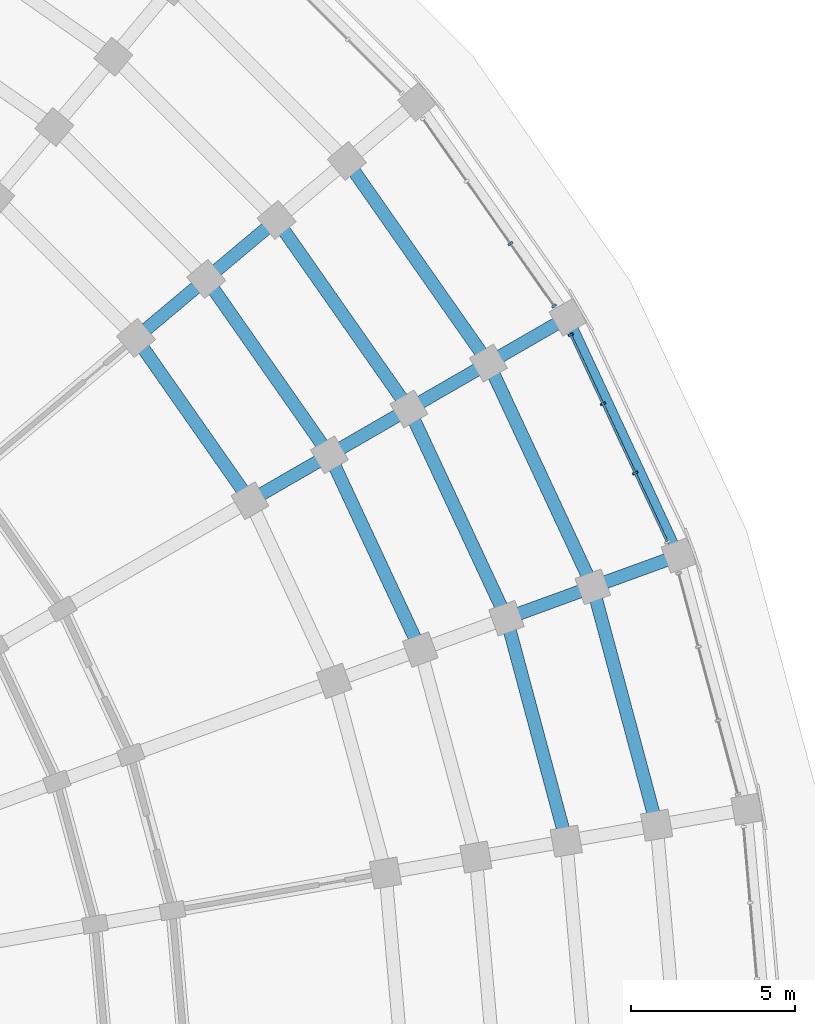
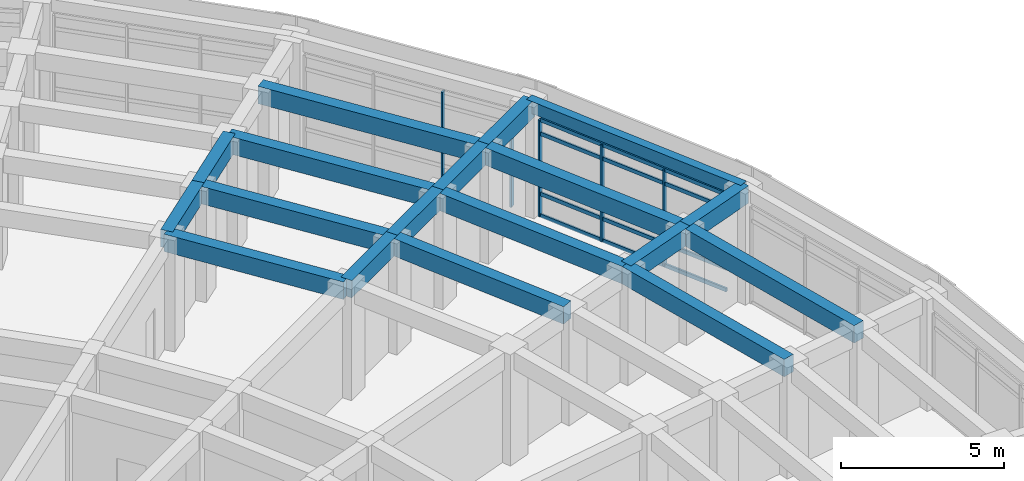
# One storey, part 51 of 135: 18 beams, 9 members, 2 elements without a shape of their own.
"""IFC4 building model written with IfcOpenShell, lengths in metres."""

import ifcopenshell
import ifcopenshell.guid

model = None  # the IFC model being written
_history = None  # IfcOwnerHistory: only IFC2X3 demands one
_inside = {}  # id of a spatial element -> (the spatial element, [elements in it])
_under = {}  # id of a project, library or spatial element -> (it, [spatial elements below it])
_declared = {}  # id of a project -> (the project, [libraries it declares])
_typed = {}  # id of a type object -> (the type object, [elements of that type])
_made_of = {}  # id of a material, layer set ... -> (it, [elements and type objects made of it])


def new_model(schema):
    """Start an empty IFC model of exactly this schema.

    Asked for "IFC4X3", IfcOpenShell would pick the latest addendum, in which some entities
    have other attributes; the version numbers below select the first issue.
    IFC2X3 requires an IfcOwnerHistory on every rooted entity: one is made here for all.
    """
    global model, _history
    if schema == "IFC4X3":
        model = ifcopenshell.file(schema_version=(4, 3, 0, 0))
    else:
        model = ifcopenshell.file(schema=schema)
    _inside.clear()
    _under.clear()
    _declared.clear()
    _typed.clear()
    _made_of.clear()
    _history = None
    if model.schema == "IFC2X3":
        org = make("IfcOrganization", Name="unknown")
        user = make(
            "IfcPersonAndOrganization",
            ThePerson=make("IfcPerson", FamilyName="unknown"),
            TheOrganization=org,
        )
        app = make(
            "IfcApplication",
            ApplicationDeveloper=org,
            Version="unknown",
            ApplicationFullName="unknown",
            ApplicationIdentifier="unknown",
        )
        _history = make(
            "IfcOwnerHistory",
            OwningUser=user,
            OwningApplication=app,
            ChangeAction="ADDED",
            CreationDate=0,
        )
    return model


def make(cls, **values):
    """One entity of the class cls with the attributes given. An attribute that is None is left unset."""
    return model.create_entity(
        cls, **{name: value for name, value in values.items() if value is not None}
    )


def rooted(cls, **values):
    """An entity with a GlobalId (a new one), such as an element, a storey or a relation."""
    return make(cls, GlobalId=ifcopenshell.guid.new(), OwnerHistory=_history, **values)


def si_unit(unit_type, name, prefix=None):
    """IfcSIUnit, for example si_unit("LENGTHUNIT", "METRE", prefix="MILLI")."""
    return make("IfcSIUnit", UnitType=unit_type, Prefix=prefix, Name=name)


def assignment(units):
    """IfcUnitAssignment: the units of a project."""
    return None if units is None else make("IfcUnitAssignment", Units=units)


def point(xyz):
    """IfcCartesianPoint."""
    return None if xyz is None else make("IfcCartesianPoint", Coordinates=xyz)


def direction(xyz):
    """IfcDirection."""
    return None if xyz is None else make("IfcDirection", DirectionRatios=xyz)


def frame(location, z_axis=None, x_axis=None):
    """IfcAxis2Placement3D, a coordinate frame: its origin and axes. An axis left out is left unset."""
    return make(
        "IfcAxis2Placement3D",
        Location=point(location),
        Axis=direction(z_axis),
        RefDirection=direction(x_axis),
    )


def frame_2d(location, x_axis=None):
    """IfcAxis2Placement2D, a coordinate frame in the plane: its origin and x axis."""
    return make(
        "IfcAxis2Placement2D", Location=point(location), RefDirection=direction(x_axis)
    )


def origin():
    """The frame at (0, 0, 0) with its axes left unset."""
    return frame((0.0, 0.0, 0.0))


def origin_2d():
    """The frame at (0, 0) in the plane with its x axis left unset."""
    return frame_2d((0.0, 0.0))


def place(relative_to, where):
    """IfcLocalPlacement: puts the frame where relative to a parent placement (None: the world)."""
    return make(
        "IfcLocalPlacement", PlacementRelTo=relative_to, RelativePlacement=where
    )


def context(
    kind, dimensions, precision=None, world=None, true_north=None, identifier=None
):
    """IfcGeometricRepresentationContext, for example the 3D "Model" context."""
    return make(
        "IfcGeometricRepresentationContext",
        ContextIdentifier=identifier,
        ContextType=kind,
        CoordinateSpaceDimension=dimensions,
        Precision=precision,
        WorldCoordinateSystem=world,
        TrueNorth=true_north,
    )


def subcontext(parent, identifier, kind, view, scale=None):
    """IfcGeometricRepresentationSubContext, for example "Body" below "Model"."""
    return make(
        "IfcGeometricRepresentationSubContext",
        ContextIdentifier=identifier,
        ContextType=kind,
        ParentContext=parent,
        TargetScale=scale,
        TargetView=view,
    )


def project(units=None, contexts=None):
    """IfcProject with its units and contexts."""
    return rooted(
        "IfcProject",
        Name="project",
        RepresentationContexts=contexts,
        UnitsInContext=assignment(units),
    )


def spatial(cls, under=None, at=None, **own):
    """A site, building, storey or space (cls), placed at a placement, below another one or the project."""
    s = rooted(cls, ObjectPlacement=at, **own)
    if under is not None:
        _under.setdefault(under.id(), (under, []))[1].append(s)
    return s


def profile(cls, at=None, kind="AREA", **sizes):
    """A parametric profile (cls). Its sizes go by their IFC names, for example OverallWidth=200.0."""
    return make(cls, ProfileType=kind, Position=at, **sizes)


def rectangle(**sizes):
    """IfcRectangleProfileDef."""
    return profile("IfcRectangleProfileDef", **sizes)


def extrude(swept, where, along, depth):
    """IfcExtrudedAreaSolid: the profile swept, set in the frame where, extruded along a direction by depth."""
    return make(
        "IfcExtrudedAreaSolid",
        SweptArea=swept,
        Position=where,
        ExtrudedDirection=direction(along),
        Depth=depth,
    )


def shape(context_of_items, identifier, shape_type, items):
    """IfcShapeRepresentation: the items that make up one representation, for example the "Body"."""
    return make(
        "IfcShapeRepresentation",
        ContextOfItems=context_of_items,
        RepresentationIdentifier=identifier,
        RepresentationType=shape_type,
        Items=items,
    )


def material(Name=None, Category=None):
    """IfcMaterial."""
    return make("IfcMaterial", Name=Name, Category=Category)


def material_profile(
    of_material, cross_section, Name=None, Category=None, Priority=None
):
    """IfcMaterialProfile: a cross section and its material."""
    return make(
        "IfcMaterialProfile",
        Name=Name,
        Material=of_material,
        Profile=cross_section,
        Priority=Priority,
        Category=Category,
    )


def profile_set(profiles, Name=None, composite=None):
    """IfcMaterialProfileSet."""
    return make(
        "IfcMaterialProfileSet",
        Name=Name,
        MaterialProfiles=profiles,
        CompositeProfile=composite,
    )


def made_of(thing, what):
    """Note that an element or type object is made of a material, layer set ...; save() writes the relation."""
    if what is not None:
        _made_of.setdefault(what.id(), (what, []))[1].append(thing)
    return thing


def type_object(cls, material=None, **own):
    """A type object (cls), such as IfcWallType, which elements share."""
    return made_of(rooted(cls, **own), material)


def element(
    cls,
    number,
    at=None,
    inside=None,
    cuts=None,
    type_object=None,
    material=None,
    context=None,
    identifier="Body",
    shape_type=None,
    held_by="IfcProductDefinitionShape",
    body=None,
    shapes=None,
    **own,
):
    """One element of the class cls, such as IfcWall. Its Tag is "e" and its number.

    at: its placement. inside: the storey or other place that contains it. cuts: it is an
    opening in that element (IfcRelVoidsElement). A single representation is given by context,
    identifier, shape_type and body (its items); several are given by shapes. held_by: the class
    of the entity that holds the representations. save() writes the other relations.
    """
    e = rooted(cls, Tag="e%d" % number, ObjectPlacement=at, **own)
    if body is not None:
        shapes = [shape(context, identifier, shape_type, body)]
    if shapes is not None:
        e.Representation = make(held_by, Representations=shapes)
    if inside is not None:
        _inside.setdefault(inside.id(), (inside, []))[1].append(e)
    if cuts is not None:
        rooted(
            "IfcRelVoidsElement", RelatingBuildingElement=cuts, RelatedOpeningElement=e
        )
    if type_object is not None:
        _typed.setdefault(type_object.id(), (type_object, []))[1].append(e)
    return made_of(e, material)


def aggregate(whole, parts):
    """IfcRelAggregates: a whole, such as a stair, and the parts it consists of."""
    return rooted("IfcRelAggregates", RelatingObject=whole, RelatedObjects=parts)


def save(model, path):
    """Write the relations noted so far, then the file.

    IfcRelAggregates (storeys below a building ...), IfcRelContainedInSpatialStructure (elements
    in a storey), IfcRelDefinesByType, IfcRelAssociatesMaterial and IfcRelDeclares: one each for
    every whole, place, type object, material and project.
    """
    for whole, parts in _under.values():
        aggregate(whole, parts)
    for where, things in _inside.values():
        rooted(
            "IfcRelContainedInSpatialStructure",
            RelatedElements=things,
            RelatingStructure=where,
        )
    for kind, things in _typed.values():
        rooted("IfcRelDefinesByType", RelatedObjects=things, RelatingType=kind)
    for what, things in _made_of.values():
        rooted("IfcRelAssociatesMaterial", RelatedObjects=things, RelatingMaterial=what)
    for by, libraries in _declared.values():
        rooted("IfcRelDeclares", RelatingContext=by, RelatedDefinitions=libraries)
    model.write(path)


model = new_model("IFC4")

# Units and contexts
model_context = context("Model", 3, precision=1e-05, world=origin(), true_north=direction((0.0, 1.0)))
body_context = subcontext(model_context, "Body", "Model", "MODEL_VIEW")
ifc_project = project(units=[si_unit("LENGTHUNIT", "METRE"), si_unit("AREAUNIT", "SQUARE_METRE"), si_unit("VOLUMEUNIT", "CUBIC_METRE"), si_unit("PLANEANGLEUNIT", "RADIAN"), si_unit("MASSUNIT", "GRAM", prefix="KILO")], contexts=[model_context])

# Site, building, storey
site_placement = place(None, origin())
site = spatial("IfcSite", under=ifc_project, at=site_placement, CompositionType="ELEMENT")
building_placement = place(site_placement, origin())
building = spatial("IfcBuilding", under=site, at=building_placement, Name="Kiranvali Square Residences", CompositionType="ELEMENT")
storey_placement = place(building_placement, origin())
storey = spatial("IfcBuildingStorey", under=building, at=storey_placement, Name="L00", CompositionType="ELEMENT", Elevation=0.0)

# Beams
ifc_material_1 = material(Name="Concrete M45 (45 MPa)", Category="concrete")
ifc_material_profile_1 = material_profile(ifc_material_1, rectangle(XDim=0.39990234375, YDim=0.64990234375, at=origin_2d()), Name="RC 400x650")
ifc_profile_set_1 = profile_set([ifc_material_profile_1], Name="Concrete M45 (45 MPa)")
beam_type_1 = type_object("IfcBeamType", Name="BM-M45-400x650", PredefinedType="BEAM", material=ifc_profile_set_1)
beam_1_placement = place(storey_placement, frame((146.458251953125, 110.1689453125, 3.824951171875), z_axis=(0.573594691504, -0.81913926159, 0.0), x_axis=(0.81913926159, 0.573594691504, 0.0)))
element("IfcBeam", 1, at=beam_1_placement, inside=storey, type_object=beam_type_1, Name="L00 beam BM-B-L00-C05-R3", PredefinedType="BEAM", context=body_context, shape_type="SweptSolid", body=[
    extrude(rectangle(XDim=0.39990234375, YDim=0.64990234375, at=origin_2d()), origin(), (0.0, 0.0, 1.0), 6.066162109375),
])
beam_2_placement = place(storey_placement, frame((148.603271484375, 111.96875, 3.824951171875), z_axis=(0.573587340268, -0.819144409176, 0.0), x_axis=(0.819144409176, 0.573587340268, 0.0)))
element("IfcBeam", 2, at=beam_2_placement, inside=storey, type_object=beam_type_1, Name="L00 beam BM-B-L00-C05-R4", PredefinedType="BEAM", context=body_context, shape_type="SweptSolid", body=[
    extrude(rectangle(XDim=0.39990234375, YDim=0.64990234375, at=origin_2d()), origin(), (0.0, 0.0, 1.0), 6.553955078125),
])
beam_3_placement = place(storey_placement, frame((150.748291015625, 113.7685546875, 3.824951171875), z_axis=(0.57356471828, -0.819160249246, 0.0), x_axis=(0.819160249246, 0.57356471828, 0.0)))
element("IfcBeam", 3, at=beam_3_placement, inside=storey, type_object=beam_type_1, Name="L00 beam BM-B-L00-C05-R5", PredefinedType="BEAM", context=body_context, shape_type="SweptSolid", body=[
    extrude(rectangle(XDim=0.39990234375, YDim=0.64990234375, at=origin_2d()), origin(), (0.0, 0.0, 1.0), 7.0419921875),
])
beam_4_placement = place(storey_placement, frame((152.89306640625, 115.568359375, 3.824951171875), z_axis=(0.573588539275, -0.819143569597, 0.0), x_axis=(0.819143569597, 0.573588539275, 0.0)))
element("IfcBeam", 4, at=beam_4_placement, inside=storey, type_object=beam_type_1, Name="L00 beam BM-B-L00-C05-R6", PredefinedType="BEAM", context=body_context, shape_type="SweptSolid", body=[
    extrude(rectangle(XDim=0.39990234375, YDim=0.64990234375, at=origin_2d()), origin(), (0.0, 0.0, 1.0), 7.5302734375),
])
beam_5_placement = place(storey_placement, frame((152.362548828125, 106.60009765625, 3.824951171875), z_axis=(0.422595876255, -0.906318225223, 0.0), x_axis=(0.906318225223, 0.422595876255, 0.0)))
element("IfcBeam", 5, at=beam_5_placement, inside=storey, type_object=beam_type_1, Name="L00 beam BM-B-L00-C06-R4", PredefinedType="BEAM", context=body_context, shape_type="SweptSolid", body=[
    extrude(rectangle(XDim=0.39990234375, YDim=0.64990234375, at=origin_2d()), origin(), (0.0, 0.0, 1.0), 6.55419921875),
])
beam_6_placement = place(storey_placement, frame((154.787353515625, 108.0, 3.824951171875), z_axis=(0.422640621205, -0.906297360311, 0.0), x_axis=(0.906297360311, 0.422640621205, 0.0)))
element("IfcBeam", 6, at=beam_6_placement, inside=storey, type_object=beam_type_1, Name="L00 beam BM-B-L00-C06-R5", PredefinedType="BEAM", context=body_context, shape_type="SweptSolid", body=[
    extrude(rectangle(XDim=0.39990234375, YDim=0.64990234375, at=origin_2d()), origin(), (0.0, 0.0, 1.0), 7.042236328125),
])
beam_7_placement = place(storey_placement, frame((157.21240234375, 109.39990234375, 3.824951171875), z_axis=(0.422613886933, -0.90630982703, 0.0), x_axis=(0.90630982703, 0.422613886933, 0.0)))
element("IfcBeam", 7, at=beam_7_placement, inside=storey, type_object=beam_type_1, Name="L00 beam BM-B-L00-C06-R6", PredefinedType="BEAM", context=body_context, shape_type="SweptSolid", body=[
    extrude(rectangle(XDim=0.39990234375, YDim=0.64990234375, at=origin_2d()), origin(), (0.0, 0.0, 1.0), 7.5302734375),
])
beam_8_placement = place(storey_placement, frame((157.763671875, 101.61767578125, 3.824951171875), z_axis=(0.258799624492, -0.965931029817, 0.0), x_axis=(0.965931029817, 0.258799624492, 0.0)))
element("IfcBeam", 8, at=beam_8_placement, inside=storey, type_object=beam_type_1, Name="L00 beam BM-B-L00-C07-R5", PredefinedType="BEAM", context=body_context, shape_type="SweptSolid", body=[
    extrude(rectangle(XDim=0.39990234375, YDim=0.64990234375, at=origin_2d()), origin(), (0.0, 0.0, 1.0), 7.042236328125),
])
beam_9_placement = place(storey_placement, frame((160.394775390625, 102.5751953125, 3.824951171875), z_axis=(0.258818733833, -0.965925909693, 0.0), x_axis=(0.965925909693, 0.258818733833, 0.0)))
element("IfcBeam", 9, at=beam_9_placement, inside=storey, type_object=beam_type_1, Name="L00 beam BM-B-L00-C07-R6", PredefinedType="BEAM", context=body_context, shape_type="SweptSolid", body=[
    extrude(rectangle(XDim=0.39990234375, YDim=0.64990234375, at=origin_2d()), origin(), (0.0, 0.0, 1.0), 7.5302734375),
])
for number, where, z_axis, x_axis, name in (
    (10, (146.458251953125, 110.1689453125, 3.824951171875), (0.766058583359, 0.642770757628, 0.0), (-0.642770757628, 0.766058583359, 0.0), "L00 beam BM-B-L00-RAD05-34"),
    (11, (148.603271484375, 111.96875, 3.824951171875), (0.766058583359, 0.642770757628, 0.0), (-0.642770757628, 0.766058583359, 0.0), "L00 beam BM-B-L00-RAD05-45"),
    (12, (149.937744140625, 105.199951171875, 3.824951171875), (0.865996816683, 0.500049511043, 0.0), (-0.500049511043, 0.865996816683, 0.0), "L00 beam BM-B-L00-RAD06-34"),
):
    element("IfcBeam", number, at=place(storey_placement, frame(where, z_axis=z_axis, x_axis=x_axis)), inside=storey, type_object=beam_type_1, Name=name, PredefinedType="BEAM", context=body_context, shape_type="SweptSolid", body=[
        extrude(rectangle(XDim=0.39990234375, YDim=0.64990234375, at=origin_2d()), origin(), (0.0, 0.0, 1.0), 2.800048828125),
    ])
beam_10_placement = place(storey_placement, frame((152.362548828125, 106.60009765625, 3.824951171875), z_axis=(0.866034573852, 0.49998411664, 0.0), x_axis=(-0.49998411664, 0.866034573852, 0.0)))
element("IfcBeam", 13, at=beam_10_placement, inside=storey, type_object=beam_type_1, Name="L00 beam BM-B-L00-RAD06-45", PredefinedType="BEAM", context=body_context, shape_type="SweptSolid", body=[
    extrude(rectangle(XDim=0.39990234375, YDim=0.64990234375, at=origin_2d()), origin(), (0.0, 0.0, 1.0), 2.7998046875),
])
for number, where, z_axis, x_axis, name in (
    (14, (154.787353515625, 108.0, 3.824951171875), (0.866056369097, 0.49994636267, 0.0), (-0.49994636267, 0.866056369097, 0.0), "L00 beam BM-B-L00-RAD06-56"),
    (15, (157.21240234375, 109.39990234375, 3.824951171875), (0.865996816683, 0.500049511043, 0.0), (-0.500049511043, 0.865996816683, 0.0), "L00 beam BM-B-L00-RAD06-67"),
):
    element("IfcBeam", number, at=place(storey_placement, frame(where, z_axis=z_axis, x_axis=x_axis)), inside=storey, type_object=beam_type_1, Name=name, PredefinedType="BEAM", context=body_context, shape_type="SweptSolid", body=[
        extrude(rectangle(XDim=0.39990234375, YDim=0.64990234375, at=origin_2d()), origin(), (0.0, 0.0, 1.0), 2.800048828125),
    ])
beam_11_placement = place(storey_placement, frame((157.763671875, 101.61767578125, 3.824951171875), z_axis=(0.93970683422, 0.341981089711, 0.0), x_axis=(-0.341981089711, 0.93970683422, 0.0)))
element("IfcBeam", 16, at=beam_11_placement, inside=storey, type_object=beam_type_1, Name="L00 beam BM-B-L00-RAD07-56", PredefinedType="BEAM", context=body_context, shape_type="SweptSolid", body=[
    extrude(rectangle(XDim=0.39990234375, YDim=0.64990234375, at=origin_2d()), origin(), (0.0, 0.0, 1.0), 2.7998046875),
])
beam_12_placement = place(storey_placement, frame((160.394775390625, 102.5751953125, 3.824951171875), z_axis=(0.939678810556, 0.342058084236, 0.0), x_axis=(-0.342058084236, 0.939678810556, 0.0)))
element("IfcBeam", 17, at=beam_12_placement, inside=storey, type_object=beam_type_1, Name="L00 beam BM-B-L00-RAD07-67", PredefinedType="BEAM", context=body_context, shape_type="SweptSolid", body=[
    extrude(rectangle(XDim=0.39990234375, YDim=0.64990234375, at=origin_2d()), origin(), (0.0, 0.0, 1.0), 2.800048828125),
])

# Curtain wall, members
ifc_material_2 = material(Name="Anodised bronze aluminium framing", Category="aluminium")
curtain_wall_type = type_object("IfcCurtainWallType", Name="CW-RET-SHOP", PredefinedType="USERDEFINED", material=ifc_material_2)
curtain_wall_1_placement = place(storey_placement, origin())
curtain_wall_1 = element("IfcCurtainWall", 18, at=curtain_wall_1_placement, inside=storey, type_object=curtain_wall_type, Name="Block B L00 rounded-corner arcade curtain wall 6", ObjectType="CURTAIN WALL", PredefinedType="USERDEFINED")
ifc_material_profile_2 = material_profile(ifc_material_2, rectangle(XDim=0.06494140625, YDim=0.159912109375, at=origin_2d()), Name="ALU 65x160")
ifc_profile_set_2 = profile_set([ifc_material_profile_2], Name="Anodised bronze aluminium framing")
member_type_1 = type_object("IfcMemberType", Name="CW-MUL-160", PredefinedType="MULLION", material=ifc_profile_set_2)
member_1_placement = place(storey_placement, frame((157.8818359375, 113.04541015625, 0.02001953125), z_axis=(0.0, 0.0, 1.0), x_axis=(0.573576436351, -0.819152044289, 0.0)))
member_1 = element("IfcMember", 19, at=member_1_placement, type_object=member_type_1, Name="CW-B-L00-CRV-05 vertical mullion 3", PredefinedType="MULLION", context=body_context, shape_type="SweptSolid", body=[
    extrude(rectangle(XDim=0.06494140625, YDim=0.159912109375, at=origin_2d()), origin(), (0.0, 0.0, 1.0), 3.60986328125),
])
member_2_placement = place(storey_placement, frame((159.216064453125, 111.139892578125, 0.02001953125), z_axis=(0.0, 0.0, 1.0), x_axis=(0.573576436351, -0.819152044289, 0.0)))
member_2 = element("IfcMember", 20, at=member_2_placement, type_object=member_type_1, Name="CW-B-L00-CRV-05 vertical mullion 4", PredefinedType="MULLION", context=body_context, shape_type="SweptSolid", body=[
    extrude(rectangle(XDim=0.06494140625, YDim=0.159912109375, at=origin_2d()), origin(), (0.0, 0.0, 1.0), 3.60986328125),
])
aggregate(curtain_wall_1, [member_1, member_2])

curtain_wall_2_placement = place(storey_placement, origin())
curtain_wall_2 = element("IfcCurtainWall", 21, at=curtain_wall_2_placement, inside=storey, type_object=curtain_wall_type, Name="Block B L00 rounded-corner arcade curtain wall 7", ObjectType="CURTAIN WALL", PredefinedType="USERDEFINED")
member_3_placement = place(storey_placement, frame((159.720947265625, 110.265380859375, 0.02001953125), z_axis=(0.0, 0.0, 1.0), x_axis=(0.422618261741, -0.906307787037, 0.0)))
member_3 = element("IfcMember", 22, at=member_3_placement, type_object=member_type_1, Name="CW-B-L00-CRV-06 vertical mullion 1", PredefinedType="MULLION", context=body_context, shape_type="SweptSolid", body=[
    extrude(rectangle(XDim=0.06494140625, YDim=0.159912109375, at=origin_2d()), origin(), (0.0, 0.0, 1.0), 3.60986328125),
])
member_4_placement = place(storey_placement, frame((160.7041015625, 108.1572265625, 0.02001953125), z_axis=(0.0, 0.0, 1.0), x_axis=(0.422618261741, -0.906307787037, 0.0)))
member_4 = element("IfcMember", 23, at=member_4_placement, type_object=member_type_1, Name="CW-B-L00-CRV-06 vertical mullion 2", PredefinedType="MULLION", context=body_context, shape_type="SweptSolid", body=[
    extrude(rectangle(XDim=0.06494140625, YDim=0.159912109375, at=origin_2d()), origin(), (0.0, 0.0, 1.0), 3.60986328125),
])
member_5_placement = place(storey_placement, frame((161.68701171875, 106.049072265625, 0.02001953125), z_axis=(0.0, 0.0, 1.0), x_axis=(0.422618261741, -0.906307787037, 0.0)))
member_5 = element("IfcMember", 24, at=member_5_placement, type_object=member_type_1, Name="CW-B-L00-CRV-06 vertical mullion 3", PredefinedType="MULLION", context=body_context, shape_type="SweptSolid", body=[
    extrude(rectangle(XDim=0.06494140625, YDim=0.159912109375, at=origin_2d()), origin(), (0.0, 0.0, 1.0), 3.60986328125),
])
ifc_material_profile_3 = material_profile(ifc_material_2, rectangle(XDim=0.06494140625, YDim=0.139892578125, at=origin_2d()), Name="ALU 65x140")
ifc_profile_set_3 = profile_set([ifc_material_profile_3], Name="Anodised bronze aluminium framing")
member_type_2 = type_object("IfcMemberType", Name="CW-TRN-140", PredefinedType="MULLION", material=ifc_profile_set_3)
member_6_placement = place(storey_placement, frame((159.72509765625, 110.25634765625, 0.0400390625), z_axis=(0.422641515237, -0.90629694339, 0.0), x_axis=(0.90629694339, 0.422641515237, 0.0)))
member_6 = element("IfcMember", 25, at=member_6_placement, type_object=member_type_2, Name="CW-B-L00-CRV-06 horizontal transom 1", PredefinedType="MULLION", context=body_context, shape_type="SweptSolid", body=[
    extrude(rectangle(XDim=0.06494140625, YDim=0.139892578125, at=origin_2d()), origin(), (0.0, 0.0, 1.0), 6.95849609375),
])
member_7_placement = place(storey_placement, frame((159.72509765625, 110.25634765625, 0.85009765625), z_axis=(0.422641515237, -0.90629694339, 0.0), x_axis=(0.90629694339, 0.422641515237, 0.0)))
member_7 = element("IfcMember", 26, at=member_7_placement, type_object=member_type_2, Name="CW-B-L00-CRV-06 horizontal transom 2", PredefinedType="MULLION", context=body_context, shape_type="SweptSolid", body=[
    extrude(rectangle(XDim=0.06494140625, YDim=0.139892578125, at=origin_2d()), origin(), (0.0, 0.0, 1.0), 6.95849609375),
])
member_8_placement = place(storey_placement, frame((159.72509765625, 110.25634765625, 3.10009765625), z_axis=(0.422641515237, -0.90629694339, 0.0), x_axis=(0.90629694339, 0.422641515237, 0.0)))
member_8 = element("IfcMember", 27, at=member_8_placement, type_object=member_type_2, Name="CW-B-L00-CRV-06 horizontal transom 3", PredefinedType="MULLION", context=body_context, shape_type="SweptSolid", body=[
    extrude(rectangle(XDim=0.06494140625, YDim=0.139892578125, at=origin_2d()), origin(), (0.0, 0.0, 1.0), 6.95849609375),
])
member_9_placement = place(storey_placement, frame((159.72509765625, 110.25634765625, 3.610107421875), z_axis=(0.422641515237, -0.90629694339, 0.0), x_axis=(0.90629694339, 0.422641515237, 0.0)))
member_9 = element("IfcMember", 28, at=member_9_placement, type_object=member_type_2, Name="CW-B-L00-CRV-06 horizontal transom 4", PredefinedType="MULLION", context=body_context, shape_type="SweptSolid", body=[
    extrude(rectangle(XDim=0.06494140625, YDim=0.139892578125, at=origin_2d()), origin(), (0.0, 0.0, 1.0), 6.95849609375),
])
aggregate(curtain_wall_2, [member_3, member_4, member_5, member_6, member_7, member_8, member_9])

# Beam
ifc_material_3 = material(Name="Concrete M40 (40 MPa)", Category="concrete")
ifc_material_profile_4 = material_profile(ifc_material_3, rectangle(XDim=0.300048828125, YDim=0.449951171875, at=origin_2d()), Name="RC 300x450")
ifc_profile_set_4 = profile_set([ifc_material_profile_4], Name="Concrete M40 (40 MPa)")
beam_type_2 = type_object("IfcBeamType", Name="SPN-M40-300x450", PredefinedType="SPANDREL", material=ifc_profile_set_4)
beam_13_placement = place(storey_placement, frame((159.63720703125, 110.800048828125, 3.925048828125), z_axis=(0.422615416827, -0.906309113636, 0.0), x_axis=(0.906309113636, 0.422615416827, 0.0)))
element("IfcBeam", 29, at=beam_13_placement, inside=storey, type_object=beam_type_2, Name="L00 beam BM-B-L00-C06-R7", PredefinedType="SPANDREL", context=body_context, shape_type="SweptSolid", body=[
    extrude(rectangle(XDim=0.300048828125, YDim=0.449951171875, at=origin_2d()), origin(), (0.0, 0.0, 1.0), 8.018310546875),
])

save(model, "model.ifc")
